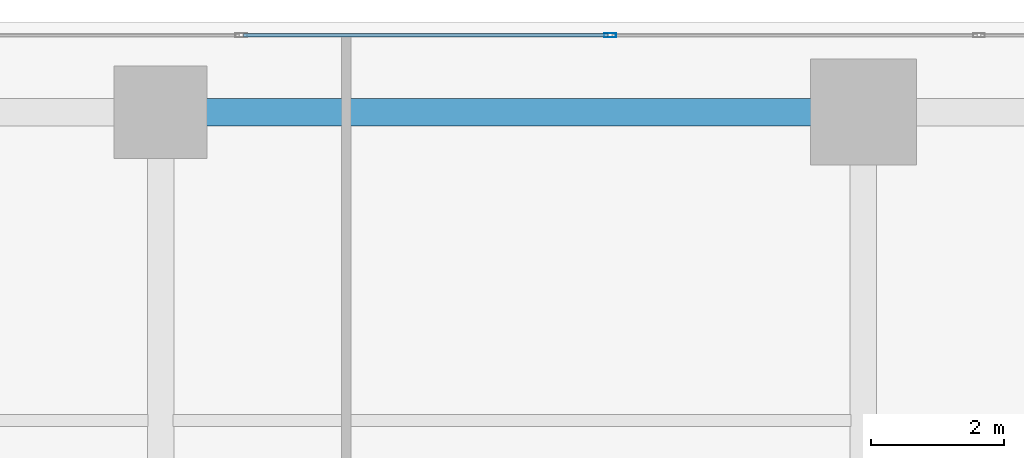
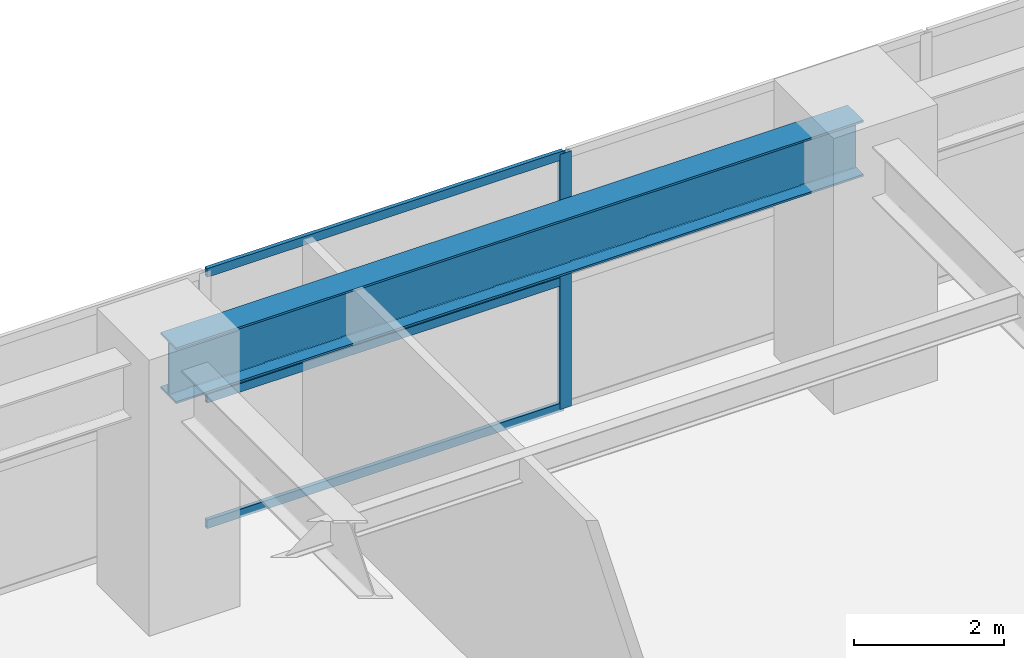
# One storey, part 6 of 28: 4 members, 1 beam, 1 element without a shape of its own.
"""IFC4 building model written with IfcOpenShell, lengths in metres."""

import ifcopenshell
import ifcopenshell.guid

model = None  # the IFC model being written
_history = None  # IfcOwnerHistory: only IFC2X3 demands one
_inside = {}  # id of a spatial element -> (the spatial element, [elements in it])
_under = {}  # id of a project, library or spatial element -> (it, [spatial elements below it])
_declared = {}  # id of a project -> (the project, [libraries it declares])
_typed = {}  # id of a type object -> (the type object, [elements of that type])
_made_of = {}  # id of a material, layer set ... -> (it, [elements and type objects made of it])


def new_model(schema):
    """Start an empty IFC model of exactly this schema.

    Asked for "IFC4X3", IfcOpenShell would pick the latest addendum, in which some entities
    have other attributes; the version numbers below select the first issue.
    IFC2X3 requires an IfcOwnerHistory on every rooted entity: one is made here for all.
    """
    global model, _history
    if schema == "IFC4X3":
        model = ifcopenshell.file(schema_version=(4, 3, 0, 0))
    else:
        model = ifcopenshell.file(schema=schema)
    _inside.clear()
    _under.clear()
    _declared.clear()
    _typed.clear()
    _made_of.clear()
    _history = None
    if model.schema == "IFC2X3":
        org = make("IfcOrganization", Name="unknown")
        user = make(
            "IfcPersonAndOrganization",
            ThePerson=make("IfcPerson", FamilyName="unknown"),
            TheOrganization=org,
        )
        app = make(
            "IfcApplication",
            ApplicationDeveloper=org,
            Version="unknown",
            ApplicationFullName="unknown",
            ApplicationIdentifier="unknown",
        )
        _history = make(
            "IfcOwnerHistory",
            OwningUser=user,
            OwningApplication=app,
            ChangeAction="ADDED",
            CreationDate=0,
        )
    return model


def make(cls, **values):
    """One entity of the class cls with the attributes given. An attribute that is None is left unset."""
    return model.create_entity(
        cls, **{name: value for name, value in values.items() if value is not None}
    )


def rooted(cls, **values):
    """An entity with a GlobalId (a new one), such as an element, a storey or a relation."""
    return make(cls, GlobalId=ifcopenshell.guid.new(), OwnerHistory=_history, **values)


def si_unit(unit_type, name, prefix=None):
    """IfcSIUnit, for example si_unit("LENGTHUNIT", "METRE", prefix="MILLI")."""
    return make("IfcSIUnit", UnitType=unit_type, Prefix=prefix, Name=name)


def assignment(units):
    """IfcUnitAssignment: the units of a project."""
    return None if units is None else make("IfcUnitAssignment", Units=units)


def point(xyz):
    """IfcCartesianPoint."""
    return None if xyz is None else make("IfcCartesianPoint", Coordinates=xyz)


def direction(xyz):
    """IfcDirection."""
    return None if xyz is None else make("IfcDirection", DirectionRatios=xyz)


def frame(location, z_axis=None, x_axis=None):
    """IfcAxis2Placement3D, a coordinate frame: its origin and axes. An axis left out is left unset."""
    return make(
        "IfcAxis2Placement3D",
        Location=point(location),
        Axis=direction(z_axis),
        RefDirection=direction(x_axis),
    )


def frame_2d(location, x_axis=None):
    """IfcAxis2Placement2D, a coordinate frame in the plane: its origin and x axis."""
    return make(
        "IfcAxis2Placement2D", Location=point(location), RefDirection=direction(x_axis)
    )


def origin():
    """The frame at (0, 0, 0) with its axes left unset."""
    return frame((0.0, 0.0, 0.0))


def origin_2d():
    """The frame at (0, 0) in the plane with its x axis left unset."""
    return frame_2d((0.0, 0.0))


def place(relative_to, where):
    """IfcLocalPlacement: puts the frame where relative to a parent placement (None: the world)."""
    return make(
        "IfcLocalPlacement", PlacementRelTo=relative_to, RelativePlacement=where
    )


def context(
    kind, dimensions, precision=None, world=None, true_north=None, identifier=None
):
    """IfcGeometricRepresentationContext, for example the 3D "Model" context."""
    return make(
        "IfcGeometricRepresentationContext",
        ContextIdentifier=identifier,
        ContextType=kind,
        CoordinateSpaceDimension=dimensions,
        Precision=precision,
        WorldCoordinateSystem=world,
        TrueNorth=true_north,
    )


def subcontext(parent, identifier, kind, view, scale=None):
    """IfcGeometricRepresentationSubContext, for example "Body" below "Model"."""
    return make(
        "IfcGeometricRepresentationSubContext",
        ContextIdentifier=identifier,
        ContextType=kind,
        ParentContext=parent,
        TargetScale=scale,
        TargetView=view,
    )


def project(units=None, contexts=None):
    """IfcProject with its units and contexts."""
    return rooted(
        "IfcProject",
        Name="project",
        RepresentationContexts=contexts,
        UnitsInContext=assignment(units),
    )


def spatial(cls, under=None, at=None, **own):
    """A site, building, storey or space (cls), placed at a placement, below another one or the project."""
    s = rooted(cls, ObjectPlacement=at, **own)
    if under is not None:
        _under.setdefault(under.id(), (under, []))[1].append(s)
    return s


def profile(cls, at=None, kind="AREA", **sizes):
    """A parametric profile (cls). Its sizes go by their IFC names, for example OverallWidth=200.0."""
    return make(cls, ProfileType=kind, Position=at, **sizes)


def hollow_rectangle(**sizes):
    """IfcRectangleHollowProfileDef."""
    return profile("IfcRectangleHollowProfileDef", **sizes)


def i_section(**sizes):
    """IfcIShapeProfileDef."""
    return profile("IfcIShapeProfileDef", **sizes)


def extrude(swept, where, along, depth):
    """IfcExtrudedAreaSolid: the profile swept, set in the frame where, extruded along a direction by depth."""
    return make(
        "IfcExtrudedAreaSolid",
        SweptArea=swept,
        Position=where,
        ExtrudedDirection=direction(along),
        Depth=depth,
    )


def shape(context_of_items, identifier, shape_type, items):
    """IfcShapeRepresentation: the items that make up one representation, for example the "Body"."""
    return make(
        "IfcShapeRepresentation",
        ContextOfItems=context_of_items,
        RepresentationIdentifier=identifier,
        RepresentationType=shape_type,
        Items=items,
    )


def source(mapping_origin, context_of_items, identifier, shape_type, items):
    """IfcRepresentationMap: a shape defined once, which mapped items show again and again."""
    return make(
        "IfcRepresentationMap",
        MappingOrigin=mapping_origin,
        MappedRepresentation=shape(context_of_items, identifier, shape_type, items),
    )


def transform(
    local_origin,
    x_axis=None,
    y_axis=None,
    z_axis=None,
    scale=None,
    scale2=None,
    scale3=None,
    uniform=True,
):
    """IfcCartesianTransformationOperator3D, or its non-uniform kind. x_axis, y_axis, z_axis: its Axis1, 2, 3."""
    if uniform:
        return make(
            "IfcCartesianTransformationOperator3D",
            Axis1=direction(x_axis),
            Axis2=direction(y_axis),
            LocalOrigin=point(local_origin),
            Scale=scale,
            Axis3=direction(z_axis),
        )
    return make(
        "IfcCartesianTransformationOperator3DnonUniform",
        Axis1=direction(x_axis),
        Axis2=direction(y_axis),
        LocalOrigin=point(local_origin),
        Scale=scale,
        Axis3=direction(z_axis),
        Scale2=scale2,
        Scale3=scale3,
    )


def mapped(mapping_source, mapping_target):
    """IfcMappedItem: shows the shape of a source again, moved by a transform."""
    return make(
        "IfcMappedItem", MappingSource=mapping_source, MappingTarget=mapping_target
    )


def material(Name=None, Category=None):
    """IfcMaterial."""
    return make("IfcMaterial", Name=Name, Category=Category)


def layer(
    of_material, thickness, ventilated=None, Name=None, Category=None, Priority=None
):
    """IfcMaterialLayer: one layer of a wall or slab, of a material (None: an air gap)."""
    return make(
        "IfcMaterialLayer",
        Material=of_material,
        LayerThickness=thickness,
        IsVentilated=ventilated,
        Name=Name,
        Category=Category,
        Priority=Priority,
    )


def layer_set(layers, Name=None):
    """IfcMaterialLayerSet."""
    return make("IfcMaterialLayerSet", MaterialLayers=layers, LayerSetName=Name)


def material_profile(
    of_material, cross_section, Name=None, Category=None, Priority=None
):
    """IfcMaterialProfile: a cross section and its material."""
    return make(
        "IfcMaterialProfile",
        Name=Name,
        Material=of_material,
        Profile=cross_section,
        Priority=Priority,
        Category=Category,
    )


def profile_set(profiles, Name=None, composite=None):
    """IfcMaterialProfileSet."""
    return make(
        "IfcMaterialProfileSet",
        Name=Name,
        MaterialProfiles=profiles,
        CompositeProfile=composite,
    )


def made_of(thing, what):
    """Note that an element or type object is made of a material, layer set ...; save() writes the relation."""
    if what is not None:
        _made_of.setdefault(what.id(), (what, []))[1].append(thing)
    return thing


def type_object(cls, material=None, **own):
    """A type object (cls), such as IfcWallType, which elements share."""
    return made_of(rooted(cls, **own), material)


def element(
    cls,
    number,
    at=None,
    inside=None,
    cuts=None,
    type_object=None,
    material=None,
    context=None,
    identifier="Body",
    shape_type=None,
    held_by="IfcProductDefinitionShape",
    body=None,
    shapes=None,
    **own,
):
    """One element of the class cls, such as IfcWall. Its Tag is "e" and its number.

    at: its placement. inside: the storey or other place that contains it. cuts: it is an
    opening in that element (IfcRelVoidsElement). A single representation is given by context,
    identifier, shape_type and body (its items); several are given by shapes. held_by: the class
    of the entity that holds the representations. save() writes the other relations.
    """
    e = rooted(cls, Tag="e%d" % number, ObjectPlacement=at, **own)
    if body is not None:
        shapes = [shape(context, identifier, shape_type, body)]
    if shapes is not None:
        e.Representation = make(held_by, Representations=shapes)
    if inside is not None:
        _inside.setdefault(inside.id(), (inside, []))[1].append(e)
    if cuts is not None:
        rooted(
            "IfcRelVoidsElement", RelatingBuildingElement=cuts, RelatedOpeningElement=e
        )
    if type_object is not None:
        _typed.setdefault(type_object.id(), (type_object, []))[1].append(e)
    return made_of(e, material)


def aggregate(whole, parts):
    """IfcRelAggregates: a whole, such as a stair, and the parts it consists of."""
    return rooted("IfcRelAggregates", RelatingObject=whole, RelatedObjects=parts)


def save(model, path):
    """Write the relations noted so far, then the file.

    IfcRelAggregates (storeys below a building ...), IfcRelContainedInSpatialStructure (elements
    in a storey), IfcRelDefinesByType, IfcRelAssociatesMaterial and IfcRelDeclares: one each for
    every whole, place, type object, material and project.
    """
    for whole, parts in _under.values():
        aggregate(whole, parts)
    for where, things in _inside.values():
        rooted(
            "IfcRelContainedInSpatialStructure",
            RelatedElements=things,
            RelatingStructure=where,
        )
    for kind, things in _typed.values():
        rooted("IfcRelDefinesByType", RelatedObjects=things, RelatingType=kind)
    for what, things in _made_of.values():
        rooted("IfcRelAssociatesMaterial", RelatedObjects=things, RelatingMaterial=what)
    for by, libraries in _declared.values():
        rooted("IfcRelDeclares", RelatingContext=by, RelatedDefinitions=libraries)
    model.write(path)


model = new_model("IFC4")

# Units and contexts
model_context = context("Model", 3, precision=1e-05, world=origin(), true_north=direction((0.0, 1.0)))
body_context = subcontext(model_context, "Body", "Model", "MODEL_VIEW")
ifc_project = project(units=[si_unit("LENGTHUNIT", "METRE"), si_unit("AREAUNIT", "SQUARE_METRE"), si_unit("VOLUMEUNIT", "CUBIC_METRE"), si_unit("PLANEANGLEUNIT", "RADIAN"), si_unit("MASSUNIT", "GRAM", prefix="KILO")], contexts=[model_context])

# Site, building, storey
site_placement = place(None, origin())
site = spatial("IfcSite", under=ifc_project, at=site_placement, CompositionType="ELEMENT")
building_placement = place(site_placement, origin())
building = spatial("IfcBuilding", under=site, at=building_placement, Name="Khoralis Quay Care Tower", CompositionType="ELEMENT")
storey_placement = place(building_placement, frame((0.0, 0.0, 9.0)))
storey = spatial("IfcBuildingStorey", under=building, at=storey_placement, Name="L02", CompositionType="ELEMENT", Elevation=9.0)

# Beam
ifc_material_1 = material(Name="Steel S355", Category="steel")
ifc_material_profile_1 = material_profile(ifc_material_1, i_section(OverallWidth=0.41796875, OverallDepth=0.912109375, WebThickness=0.019287109375, FlangeThickness=0.031982421875, FilletRadius=0.02392578125, at=origin_2d()), Name="Steel S355")
ifc_profile_set_1 = profile_set([ifc_material_profile_1], Name="Steel S355")
beam_type = type_object("IfcBeamType", Name="BM-W920X342", PredefinedType="BEAM", material=ifc_profile_set_1)
shared_shape_1 = source(origin(), body_context, "Body", "SweptSolid", [
    extrude(i_section(OverallWidth=0.41796875, OverallDepth=0.912109375, WebThickness=0.019287109375, FlangeThickness=0.031982421875, FilletRadius=0.02392578125, at=origin_2d()), origin(), (0.0, 0.0, 1.0), 10.60009765625),
])
beam_placement = place(storey_placement, frame((24.0, 46.64990234375, 3.7041015625), z_axis=(1.0, 0.0, 0.0), x_axis=(0.0, 1.0, 0.0)))
element("IfcBeam", 1, at=beam_placement, inside=storey, type_object=beam_type, Name="BM-PODX-L02-21", PredefinedType="BEAM", context=body_context, shape_type="MappedRepresentation", body=[
    mapped(shared_shape_1, transform((0.0, 0.0, 0.0), scale=1.0)),
])

# Curtain wall, members
ifc_material_2 = material(Name="Pale anodised aluminium", Category="aluminium")
ifc_layer = layer(ifc_material_2, 0.179931640625)
ifc_layer_set = layer_set([ifc_layer], Name="Pale anodised aluminium")
curtain_wall_type = type_object("IfcCurtainWallType", Name="CW-SYS-Z1", PredefinedType="NOTDEFINED", material=ifc_layer_set)
curtain_wall_placement = place(storey_placement, origin())
curtain_wall = element("IfcCurtainWall", 2, at=curtain_wall_placement, inside=storey, type_object=curtain_wall_type, Name="L02 Unitised Curtain Wall CW-POD-L02-E4", PredefinedType="NOTDEFINED")
ifc_material_profile_2 = material_profile(ifc_material_2, hollow_rectangle(XDim=0.06494140625, YDim=0.179931640625, WallThickness=0.00390625, at=origin_2d()), Name="Pale anodised aluminium")
ifc_profile_set_2 = profile_set([ifc_material_profile_2], Name="Pale anodised aluminium")
member_type_1 = type_object("IfcMemberType", Name="CW-MUL-180", PredefinedType="MULLION", material=ifc_profile_set_2)
shared_shape_2 = source(origin(), body_context, "Body", "SweptSolid", [
    extrude(hollow_rectangle(XDim=0.06494140625, YDim=0.179931640625, WallThickness=0.00390625, at=origin_2d()), origin(), (0.0, 0.0, 1.0), 4.159912109375),
])
member_1_placement = place(storey_placement, frame((30.781005859375, 47.81005859375, 0.0), z_axis=(0.0, 0.0, 1.0), x_axis=(0.0, -1.0, 0.0)))
member_1 = element("IfcMember", 3, at=member_1_placement, type_object=member_type_1, Name="CW1 mullion 3", PredefinedType="MULLION", context=body_context, shape_type="MappedRepresentation", body=[
    mapped(shared_shape_2, transform((0.0, 0.0, 0.0), scale=1.0)),
])
ifc_material_profile_3 = material_profile(ifc_material_2, hollow_rectangle(XDim=0.06005859375, YDim=0.139892578125, WallThickness=0.00390625, at=origin_2d()), Name="Pale anodised aluminium")
ifc_profile_set_3 = profile_set([ifc_material_profile_3], Name="Pale anodised aluminium")
member_type_2 = type_object("IfcMemberType", Name="CW-TRN-140", PredefinedType="USERDEFINED", material=ifc_profile_set_3)
shared_shape_3 = source(origin(), body_context, "Body", "SweptSolid", [
    extrude(hollow_rectangle(XDim=0.06005859375, YDim=0.139892578125, WallThickness=0.00390625, at=origin_2d()), origin(), (0.0, 0.0, 1.0), 5.501953125),
])
member_2_placement = place(storey_placement, frame((30.7509765625, 47.81005859375, 0.030029296875), z_axis=(-1.0, 0.0, 0.0), x_axis=(0.0, -1.0, 0.0)))
member_2 = element("IfcMember", 4, at=member_2_placement, type_object=member_type_2, Name="CW1 transom 3.1", ObjectType="TRANSOM", PredefinedType="USERDEFINED", context=body_context, shape_type="MappedRepresentation", body=[
    mapped(shared_shape_3, transform((0.0, 0.0, 0.0), scale=1.0)),
])
member_3_placement = place(storey_placement, frame((30.7509765625, 47.81005859375, 2.080078125), z_axis=(-1.0, 0.0, 0.0), x_axis=(0.0, -1.0, 0.0)))
member_3 = element("IfcMember", 5, at=member_3_placement, type_object=member_type_2, Name="CW1 transom 3.2", ObjectType="TRANSOM", PredefinedType="USERDEFINED", context=body_context, shape_type="MappedRepresentation", body=[
    mapped(shared_shape_3, transform((0.0, 0.0, 0.0), scale=1.0)),
])
member_4_placement = place(storey_placement, frame((30.7509765625, 47.81005859375, 4.1298828125), z_axis=(-1.0, 0.0, 0.0), x_axis=(0.0, -1.0, 0.0)))
member_4 = element("IfcMember", 6, at=member_4_placement, type_object=member_type_2, Name="CW1 transom 3.3", ObjectType="TRANSOM", PredefinedType="USERDEFINED", context=body_context, shape_type="MappedRepresentation", body=[
    mapped(shared_shape_3, transform((0.0, 0.0, 0.0), scale=1.0)),
])
aggregate(curtain_wall, [member_1, member_2, member_3, member_4])

save(model, "model.ifc")
